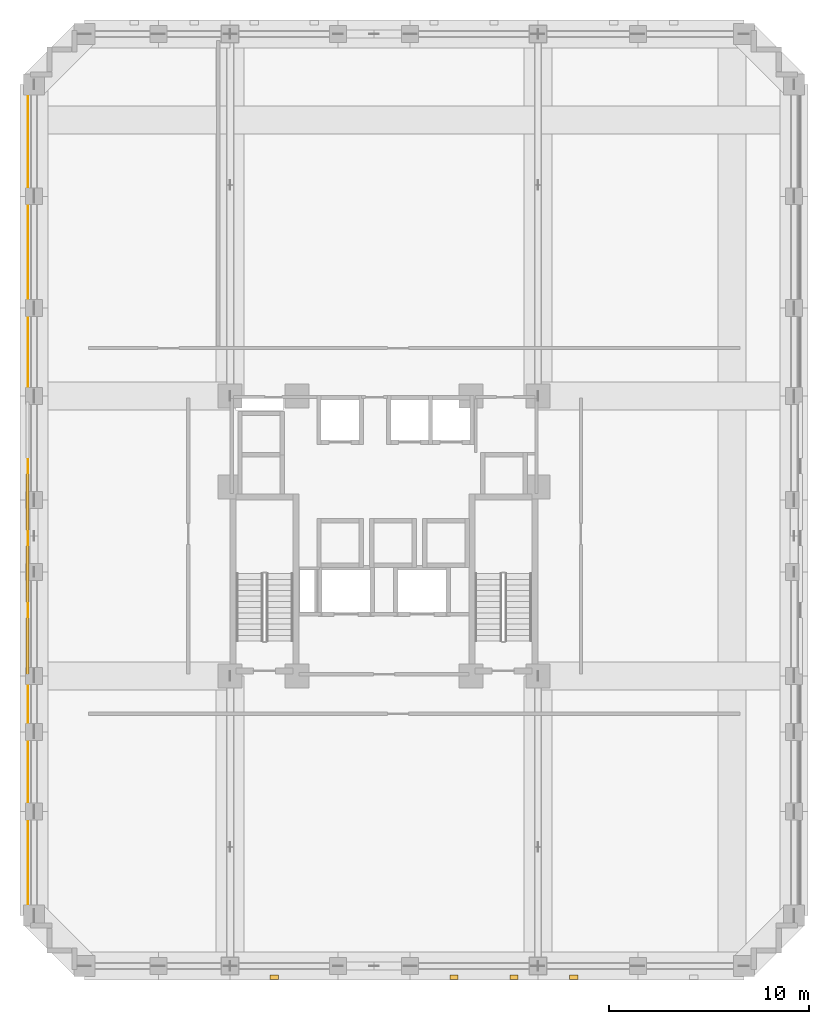
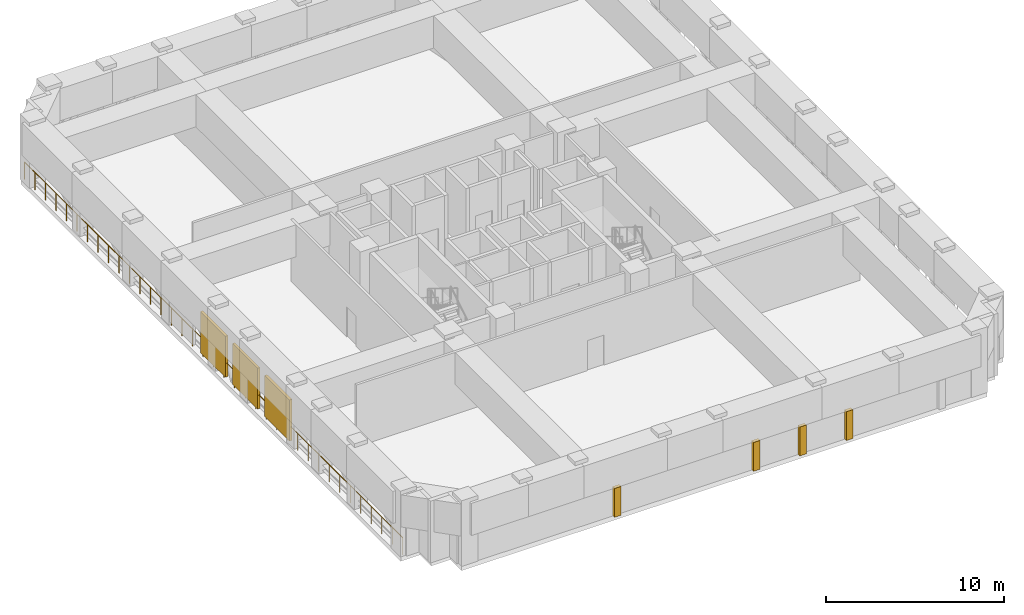
# One storey, part 9 of 11: 4 coverings, 3 shading devices, 1 railing.
"""IFC4 building model written with IfcOpenShell, lengths in metres."""

from ifc_helpers import new_model, si_unit, derived_unit, direction, frame, origin, origin_2d, place, context, subcontext, project, spatial, rectangle, circle, extrude, material, layer, layer_set, type_object, element, save


model = new_model("IFC4")

# Units and contexts
model_context = context("Model", 3, precision=1e-05, world=origin(), true_north=direction((0.0, 1.0)))
body_context = subcontext(model_context, "Body", "Model", "MODEL_VIEW")
ifc_project = project(units=[si_unit("LENGTHUNIT", "METRE"), si_unit("AREAUNIT", "SQUARE_METRE"), si_unit("VOLUMEUNIT", "CUBIC_METRE"), si_unit("PLANEANGLEUNIT", "RADIAN"), si_unit("MASSUNIT", "GRAM", prefix="KILO"), derived_unit("THERMALTRANSMITTANCEUNIT", [(si_unit("MASSUNIT", "GRAM", prefix="KILO"), 1), (si_unit("TIMEUNIT", "SECOND"), -3), (si_unit("THERMODYNAMICTEMPERATUREUNIT", "KELVIN"), -1)])], contexts=[model_context])

# Site, building, storey
site_placement = place(None, origin())
site = spatial("IfcSite", under=ifc_project, at=site_placement, CompositionType="ELEMENT")
building_placement = place(site_placement, origin())
building = spatial("IfcBuilding", under=site, at=building_placement, Name="Korrvale Station Residences", CompositionType="ELEMENT")
storey_placement = place(building_placement, frame((0.0, 0.0, 70.60009765625)))
storey = spatial("IfcBuildingStorey", under=building, at=storey_placement, Name="L19", CompositionType="ELEMENT", Elevation=70.60009765625)

# Coverings
ifc_material_1 = material(Name="Architectural precast concrete C45/55", Category="concrete")
ifc_layer = layer(ifc_material_1, 0.219970703125, Name="Architectural precast concrete C45/55")
ifc_layer_set = layer_set([ifc_layer], Name="Architectural precast concrete C45/55")
covering_type = type_object("IfcCoveringType", Name="COV-PIER-400", PredefinedType="CLADDING", material=ifc_layer_set)
for number, where, z_axis, x_axis, name in (
    (1, (35.0, -0.090087890625, 0.02490234375), (0.0, 0.0, 1.0), (1.0, 0.0, 0.0), "L19 Architectural Precast Facade Pier 02"),
    (2, (32.0, -0.090087890625, 0.02490234375), (0.0, 0.0, 1.0), (1.0, 0.0, 0.0), "L19 Architectural Precast Facade Pier 03"),
    (3, (29.0, -0.090087890625, 0.02490234375), (0.0, 0.0, 1.0), (1.0, 0.0, 0.0), "L19 Architectural Precast Facade Pier 04"),
    (4, (20.0, -0.090087890625, 0.02490234375), (0.0, 0.0, 1.0), (1.0, 0.0, 0.0), "L19 Architectural Precast Facade Pier 05"),
):
    element("IfcCovering", number, at=place(storey_placement, frame(where, z_axis=z_axis, x_axis=x_axis)), inside=storey, type_object=covering_type, Name=name, PredefinedType="CLADDING", context=body_context, shape_type="SweptSolid", body=[
        extrude(rectangle(XDim=0.419921875, YDim=0.219970703125, at=origin_2d()), origin(), (0.0, 0.0, 1.0), 1.97509765625),
    ])

# Railing
ifc_material_2 = material(Name="Galvanised steel refuge perimeter guard", Category="steel")
railing_type = type_object("IfcRailingType", Name="RLG-REF-1200", PredefinedType="GUARDRAIL", material=ifc_material_2)
railing_placement = place(storey_placement, frame((7.679931640625, 2.60009765625, 0.0)))
element("IfcRailing", 5, at=railing_placement, inside=storey, type_object=railing_type, Name="L19 Open Refuge Band Perimeter Guard West", PredefinedType="GUARDRAIL", context=body_context, shape_type="SweptSolid", body=[
    extrude(circle(Radius=0.02392578125, at=origin_2d()), frame((0.0, 0.0, 1.17578125), z_axis=(0.0, 1.0, 0.0), x_axis=(-1.0, 0.0, 0.0)), (0.0, 0.0, 1.0), 42.39990234375),
    extrude(circle(Radius=0.02099609375, at=origin_2d()), origin(), (0.0, 0.0, 1.0), 1.15185546875),
    extrude(circle(Radius=0.02099609375, at=origin_2d()), frame((0.0, 1.177734375, 0.0)), (0.0, 0.0, 1.0), 1.15185546875),
    extrude(circle(Radius=0.02099609375, at=origin_2d()), frame((0.0, 2.35546875, 0.0)), (0.0, 0.0, 1.0), 1.15185546875),
    extrude(circle(Radius=0.02099609375, at=origin_2d()), frame((0.0, 3.533203125, 0.0)), (0.0, 0.0, 1.0), 1.15185546875),
    extrude(circle(Radius=0.02099609375, at=origin_2d()), frame((0.0, 4.711181640625, 0.0)), (0.0, 0.0, 1.0), 1.15185546875),
    extrude(circle(Radius=0.02099609375, at=origin_2d()), frame((0.0, 5.888916015625, 0.0)), (0.0, 0.0, 1.0), 1.15185546875),
    extrude(circle(Radius=0.02099609375, at=origin_2d()), frame((0.0, 7.066650390625, 0.0)), (0.0, 0.0, 1.0), 1.15185546875),
    extrude(circle(Radius=0.02099609375, at=origin_2d()), frame((0.0, 8.244384765625, 0.0)), (0.0, 0.0, 1.0), 1.15185546875),
    extrude(circle(Radius=0.02099609375, at=origin_2d()), frame((0.0, 9.422119140625, 0.0)), (0.0, 0.0, 1.0), 1.15185546875),
    extrude(circle(Radius=0.02099609375, at=origin_2d()), frame((0.0, 10.60009765625, 0.0)), (0.0, 0.0, 1.0), 1.15185546875),
    extrude(circle(Radius=0.02099609375, at=origin_2d()), frame((0.0, 11.77783203125, 0.0)), (0.0, 0.0, 1.0), 1.15185546875),
    extrude(circle(Radius=0.02099609375, at=origin_2d()), frame((0.0, 12.95556640625, 0.0)), (0.0, 0.0, 1.0), 1.15185546875),
    extrude(circle(Radius=0.02099609375, at=origin_2d()), frame((0.0, 14.13330078125, 0.0)), (0.0, 0.0, 1.0), 1.15185546875),
    extrude(circle(Radius=0.02099609375, at=origin_2d()), frame((0.0, 15.31103515625, 0.0)), (0.0, 0.0, 1.0), 1.15185546875),
    extrude(circle(Radius=0.02099609375, at=origin_2d()), frame((0.0, 16.48876953125, 0.0)), (0.0, 0.0, 1.0), 1.15185546875),
    extrude(circle(Radius=0.02099609375, at=origin_2d()), frame((0.0, 17.66650390625, 0.0)), (0.0, 0.0, 1.0), 1.15185546875),
    extrude(circle(Radius=0.02099609375, at=origin_2d()), frame((0.0, 18.844482421875, 0.0)), (0.0, 0.0, 1.0), 1.15185546875),
    extrude(circle(Radius=0.02099609375, at=origin_2d()), frame((0.0, 20.022216796875, 0.0)), (0.0, 0.0, 1.0), 1.15185546875),
    extrude(circle(Radius=0.02099609375, at=origin_2d()), frame((0.0, 21.199951171875, 0.0)), (0.0, 0.0, 1.0), 1.15185546875),
    extrude(circle(Radius=0.02099609375, at=origin_2d()), frame((0.0, 22.377685546875, 0.0)), (0.0, 0.0, 1.0), 1.15185546875),
    extrude(circle(Radius=0.02099609375, at=origin_2d()), frame((0.0, 23.555419921875, 0.0)), (0.0, 0.0, 1.0), 1.15185546875),
    extrude(circle(Radius=0.02099609375, at=origin_2d()), frame((0.0, 24.7333984375, 0.0)), (0.0, 0.0, 1.0), 1.15185546875),
    extrude(circle(Radius=0.02099609375, at=origin_2d()), frame((0.0, 25.9111328125, 0.0)), (0.0, 0.0, 1.0), 1.15185546875),
    extrude(circle(Radius=0.02099609375, at=origin_2d()), frame((0.0, 27.0888671875, 0.0)), (0.0, 0.0, 1.0), 1.15185546875),
    extrude(circle(Radius=0.02099609375, at=origin_2d()), frame((0.0, 28.2666015625, 0.0)), (0.0, 0.0, 1.0), 1.15185546875),
    extrude(circle(Radius=0.02099609375, at=origin_2d()), frame((0.0, 29.4443359375, 0.0)), (0.0, 0.0, 1.0), 1.15185546875),
    extrude(circle(Radius=0.02099609375, at=origin_2d()), frame((0.0, 30.6220703125, 0.0)), (0.0, 0.0, 1.0), 1.15185546875),
    extrude(circle(Radius=0.02099609375, at=origin_2d()), frame((0.0, 31.7998046875, 0.0)), (0.0, 0.0, 1.0), 1.15185546875),
    extrude(circle(Radius=0.02099609375, at=origin_2d()), frame((0.0, 32.977783203125, 0.0)), (0.0, 0.0, 1.0), 1.15185546875),
    extrude(circle(Radius=0.02099609375, at=origin_2d()), frame((0.0, 34.155517578125, 0.0)), (0.0, 0.0, 1.0), 1.15185546875),
    extrude(circle(Radius=0.02099609375, at=origin_2d()), frame((0.0, 35.333251953125, 0.0)), (0.0, 0.0, 1.0), 1.15185546875),
    extrude(circle(Radius=0.02099609375, at=origin_2d()), frame((0.0, 36.510986328125, 0.0)), (0.0, 0.0, 1.0), 1.15185546875),
    extrude(circle(Radius=0.02099609375, at=origin_2d()), frame((0.0, 37.688720703125, 0.0)), (0.0, 0.0, 1.0), 1.15185546875),
    extrude(circle(Radius=0.02099609375, at=origin_2d()), frame((0.0, 38.86669921875, 0.0)), (0.0, 0.0, 1.0), 1.15185546875),
    extrude(circle(Radius=0.02099609375, at=origin_2d()), frame((0.0, 40.04443359375, 0.0)), (0.0, 0.0, 1.0), 1.15185546875),
    extrude(circle(Radius=0.02099609375, at=origin_2d()), frame((0.0, 41.22216796875, 0.0)), (0.0, 0.0, 1.0), 1.15185546875),
    extrude(circle(Radius=0.02099609375, at=origin_2d()), frame((0.0, 42.39990234375, 0.0)), (0.0, 0.0, 1.0), 1.15185546875),
])

# Shading devices
ifc_material_3 = material(Name="Powder-coated aluminium acoustic louvre", Category="aluminium")
shading_device_type = type_object("IfcShadingDeviceType", Name="SHD-LVR-REF", PredefinedType="USERDEFINED", material=ifc_material_3)
for number, where, z_axis, x_axis, name in (
    (6, (7.64990234375, 16.5, 0.25), (0.0, 0.0, 1.0), (1.0, 0.0, 0.0), "L19 Open Refuge Band Acoustic Storm Louvre West 1"),
    (7, (7.64990234375, 20.10009765625, 0.25), (0.0, 0.0, 1.0), (1.0, 0.0, 0.0), "L19 Open Refuge Band Acoustic Storm Louvre West 2"),
    (8, (7.64990234375, 23.699951171875, 0.25), (0.0, 0.0, 1.0), (1.0, 0.0, 0.0), "L19 Open Refuge Band Acoustic Storm Louvre West 3"),
):
    element("IfcShadingDevice", number, at=place(storey_placement, frame(where, z_axis=z_axis, x_axis=x_axis)), inside=storey, type_object=shading_device_type, Name=name, ObjectType="LOUVRE", PredefinedType="USERDEFINED", context=body_context, shape_type="SweptSolid", body=[
        extrude(rectangle(XDim=0.159912109375, YDim=2.800048828125, at=origin_2d()), origin(), (0.0, 0.0, 1.0), 2.800048828125),
    ])

save(model, "model.ifc")
